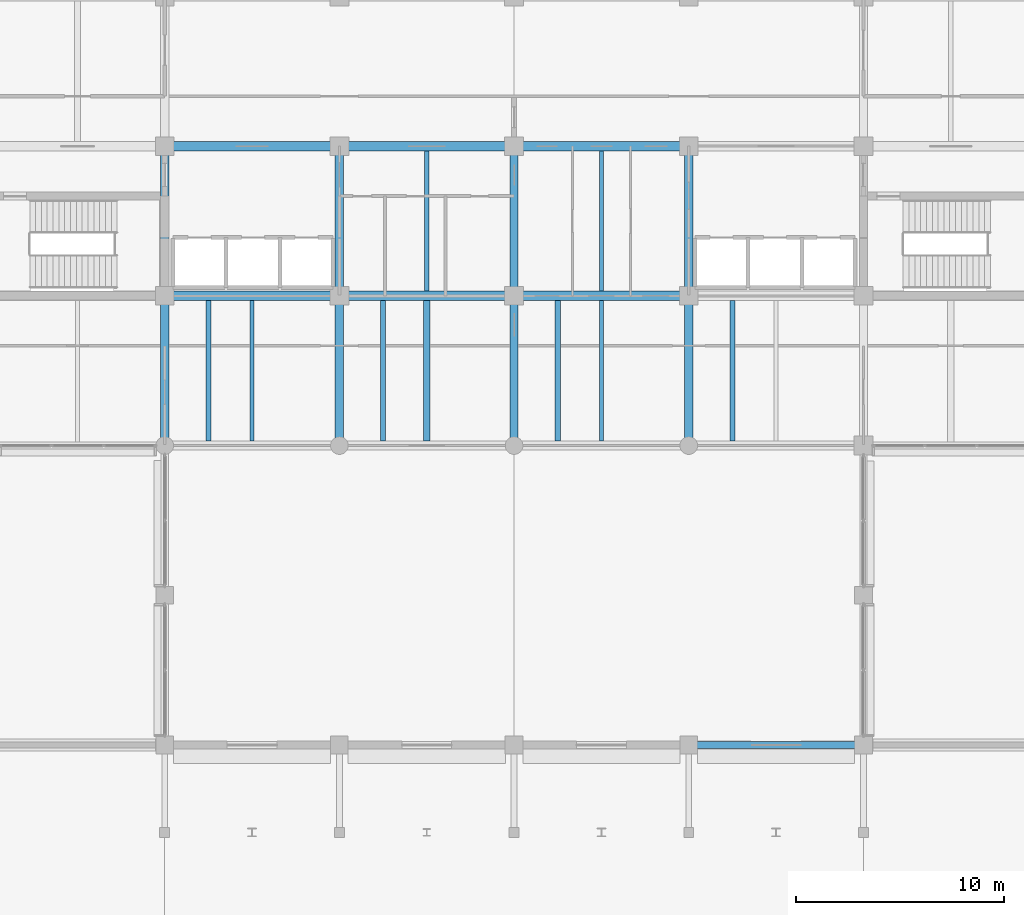
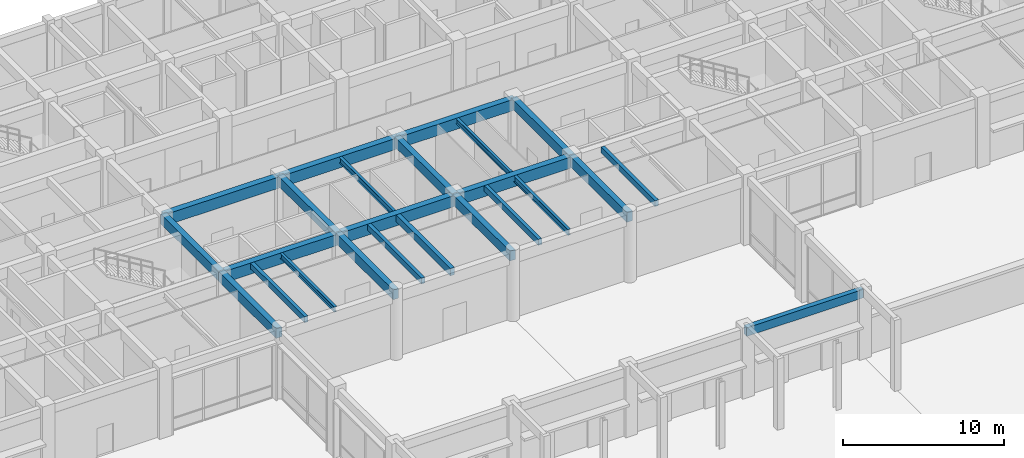
# One storey, part 21 of 73: 24 beams.
"""IFC4 building model written with IfcOpenShell, lengths in metres."""

from ifc_helpers import new_model, si_unit, direction, frame, origin, origin_2d, place, context, subcontext, project, spatial, rectangle, i_section, extrude, material, material_profile, profile_set, type_object, element, save


model = new_model("IFC4")

# Units and contexts
model_context = context("Model", 3, precision=1e-05, world=origin(), true_north=direction((0.0, 1.0)))
body_context = subcontext(model_context, "Body", "Model", "MODEL_VIEW")
ifc_project = project(units=[si_unit("LENGTHUNIT", "METRE"), si_unit("AREAUNIT", "SQUARE_METRE"), si_unit("VOLUMEUNIT", "CUBIC_METRE"), si_unit("PLANEANGLEUNIT", "RADIAN"), si_unit("MASSUNIT", "GRAM", prefix="KILO")], contexts=[model_context])

# Site, building, storey
site_placement = place(None, origin())
site = spatial("IfcSite", under=ifc_project, at=site_placement, CompositionType="ELEMENT")
building_placement = place(site_placement, origin())
building = spatial("IfcBuilding", under=site, at=building_placement, Name="Chengyuan Square Courthouse", CompositionType="ELEMENT")
storey_placement = place(building_placement, origin())
storey = spatial("IfcBuildingStorey", under=building, at=storey_placement, Name="L01", CompositionType="ELEMENT", Elevation=0.0)

# Beams
ifc_material_1 = material(Name="Concrete C40", Category="concrete")
ifc_material_profile_1 = material_profile(ifc_material_1, rectangle(XDim=0.449951171875, YDim=0.85009765625, at=origin_2d()), Name="RC-BM-450x850")
ifc_profile_set_1 = profile_set([ifc_material_profile_1], Name="Concrete C40")
beam_type_1 = type_object("IfcBeamType", Name="BM-01", PredefinedType="USERDEFINED", material=ifc_profile_set_1)
beam_1_placement = place(storey_placement, frame((67.199951171875, 86.39990234375, 4.695068359375), z_axis=(1.0, 0.0, 0.0), x_axis=(0.0, 1.0, 0.0)))
element("IfcBeam", 1, at=beam_1_placement, inside=storey, type_object=beam_type_1, Name="Girder BM-L01-1717", ObjectType="GIRDER", PredefinedType="USERDEFINED", context=body_context, shape_type="SweptSolid", body=[
    extrude(rectangle(XDim=0.449951171875, YDim=0.85009765625, at=origin_2d()), origin(), (0.0, 0.0, 1.0), 8.400146484375),
])
for number, where, z_axis, x_axis, name in (
    (2, (75.60009765625, 86.39990234375, 4.695068359375), (1.0, 0.0, 0.0), (0.0, 1.0, 0.0), "Girder BM-L01-1718"),
    (3, (84.0, 86.39990234375, 4.695068359375), (1.0, 0.0, 0.0), (0.0, 1.0, 0.0), "Girder BM-L01-1719"),
):
    element("IfcBeam", number, at=place(storey_placement, frame(where, z_axis=z_axis, x_axis=x_axis)), inside=storey, type_object=beam_type_1, Name=name, ObjectType="GIRDER", PredefinedType="USERDEFINED", context=body_context, shape_type="SweptSolid", body=[
        extrude(rectangle(XDim=0.449951171875, YDim=0.85009765625, at=origin_2d()), origin(), (0.0, 0.0, 1.0), 8.39990234375),
    ])
beam_2_placement = place(storey_placement, frame((67.199951171875, 93.60009765625, 4.695068359375), z_axis=(1.0, 0.0, 0.0), x_axis=(0.0, 1.0, 0.0)))
element("IfcBeam", 4, at=beam_2_placement, inside=storey, type_object=beam_type_1, Name="Girder BM-L01-1737", ObjectType="GIRDER", PredefinedType="USERDEFINED", context=body_context, shape_type="SweptSolid", body=[
    extrude(rectangle(XDim=0.449951171875, YDim=0.85009765625, at=origin_2d()), origin(), (0.0, 0.0, 1.0), 8.400146484375),
])
for number, where, z_axis, x_axis, name in (
    (5, (75.60009765625, 93.60009765625, 4.695068359375), (1.0, 0.0, 0.0), (0.0, 1.0, 0.0), "Girder BM-L01-1738"),
    (6, (84.0, 93.60009765625, 4.695068359375), (1.0, 0.0, 0.0), (0.0, 1.0, 0.0), "Girder BM-L01-1739"),
):
    element("IfcBeam", number, at=place(storey_placement, frame(where, z_axis=z_axis, x_axis=x_axis)), inside=storey, type_object=beam_type_1, Name=name, ObjectType="GIRDER", PredefinedType="USERDEFINED", context=body_context, shape_type="SweptSolid", body=[
        extrude(rectangle(XDim=0.449951171875, YDim=0.85009765625, at=origin_2d()), origin(), (0.0, 0.0, 1.0), 8.39990234375),
    ])
ifc_material_profile_2 = material_profile(ifc_material_1, rectangle(XDim=0.39990234375, YDim=0.75, at=origin_2d()), Name="RC-BM-400x750")
ifc_profile_set_2 = profile_set([ifc_material_profile_2], Name="Concrete C40")
beam_type_2 = type_object("IfcBeamType", Name="BM-02", PredefinedType="USERDEFINED", material=ifc_profile_set_2)
beam_3_placement = place(storey_placement, frame((67.199951171875, 79.199951171875, 4.7451171875), z_axis=(0.0, 1.0, 0.0), x_axis=(-1.0, 0.0, 0.0)))
element("IfcBeam", 7, at=beam_3_placement, inside=storey, type_object=beam_type_2, Name="Girder BM-L01-1866", ObjectType="GIRDER", PredefinedType="USERDEFINED", context=body_context, shape_type="SweptSolid", body=[
    extrude(rectangle(XDim=0.39990234375, YDim=0.75, at=origin_2d()), origin(), (0.0, 0.0, 1.0), 7.199951171875),
])
beam_4_placement = place(storey_placement, frame((67.199951171875, 86.39990234375, 4.7451171875), z_axis=(0.0, 1.0, 0.0), x_axis=(-1.0, 0.0, 0.0)))
element("IfcBeam", 8, at=beam_4_placement, inside=storey, type_object=beam_type_2, Name="Girder BM-L01-1867", ObjectType="GIRDER", PredefinedType="USERDEFINED", context=body_context, shape_type="SweptSolid", body=[
    extrude(rectangle(XDim=0.39990234375, YDim=0.75, at=origin_2d()), origin(), (0.0, 0.0, 1.0), 7.2001953125),
])
beam_5_placement = place(storey_placement, frame((75.60009765625, 79.199951171875, 4.7451171875), z_axis=(0.0, 1.0, 0.0), x_axis=(-1.0, 0.0, 0.0)))
element("IfcBeam", 9, at=beam_5_placement, inside=storey, type_object=beam_type_2, Name="Girder BM-L01-1871", ObjectType="GIRDER", PredefinedType="USERDEFINED", context=body_context, shape_type="SweptSolid", body=[
    extrude(rectangle(XDim=0.39990234375, YDim=0.75, at=origin_2d()), origin(), (0.0, 0.0, 1.0), 7.199951171875),
])
beam_6_placement = place(storey_placement, frame((75.60009765625, 86.39990234375, 4.7451171875), z_axis=(0.0, 1.0, 0.0), x_axis=(-1.0, 0.0, 0.0)))
element("IfcBeam", 10, at=beam_6_placement, inside=storey, type_object=beam_type_2, Name="Girder BM-L01-1872", ObjectType="GIRDER", PredefinedType="USERDEFINED", context=body_context, shape_type="SweptSolid", body=[
    extrude(rectangle(XDim=0.39990234375, YDim=0.75, at=origin_2d()), origin(), (0.0, 0.0, 1.0), 7.2001953125),
])
beam_7_placement = place(storey_placement, frame((84.0, 79.199951171875, 4.7451171875), z_axis=(0.0, 1.0, 0.0), x_axis=(-1.0, 0.0, 0.0)))
element("IfcBeam", 11, at=beam_7_placement, inside=storey, type_object=beam_type_2, Name="Girder BM-L01-1875", ObjectType="GIRDER", PredefinedType="USERDEFINED", context=body_context, shape_type="SweptSolid", body=[
    extrude(rectangle(XDim=0.39990234375, YDim=0.75, at=origin_2d()), origin(), (0.0, 0.0, 1.0), 7.199951171875),
])
beam_8_placement = place(storey_placement, frame((84.0, 86.39990234375, 4.7451171875), z_axis=(0.0, 1.0, 0.0), x_axis=(-1.0, 0.0, 0.0)))
element("IfcBeam", 12, at=beam_8_placement, inside=storey, type_object=beam_type_2, Name="Girder BM-L01-1876", ObjectType="GIRDER", PredefinedType="USERDEFINED", context=body_context, shape_type="SweptSolid", body=[
    extrude(rectangle(XDim=0.39990234375, YDim=0.75, at=origin_2d()), origin(), (0.0, 0.0, 1.0), 7.2001953125),
])
beam_9_placement = place(storey_placement, frame((92.39990234375, 79.199951171875, 4.7451171875), z_axis=(0.0, 1.0, 0.0), x_axis=(-1.0, 0.0, 0.0)))
element("IfcBeam", 13, at=beam_9_placement, inside=storey, type_object=beam_type_2, Name="Girder BM-L01-1879", ObjectType="GIRDER", PredefinedType="USERDEFINED", context=body_context, shape_type="SweptSolid", body=[
    extrude(rectangle(XDim=0.39990234375, YDim=0.75, at=origin_2d()), origin(), (0.0, 0.0, 1.0), 7.199951171875),
])
beam_10_placement = place(storey_placement, frame((92.39990234375, 86.39990234375, 4.7451171875), z_axis=(0.0, 1.0, 0.0), x_axis=(-1.0, 0.0, 0.0)))
element("IfcBeam", 14, at=beam_10_placement, inside=storey, type_object=beam_type_2, Name="Girder BM-L01-1880", ObjectType="GIRDER", PredefinedType="USERDEFINED", context=body_context, shape_type="SweptSolid", body=[
    extrude(rectangle(XDim=0.39990234375, YDim=0.75, at=origin_2d()), origin(), (0.0, 0.0, 1.0), 7.2001953125),
])
ifc_material_profile_3 = material_profile(ifc_material_1, rectangle(XDim=0.35009765625, YDim=0.64990234375, at=origin_2d()), Name="RC-BM-350x650")
ifc_profile_set_3 = profile_set([ifc_material_profile_3], Name="Concrete C40")
beam_type_3 = type_object("IfcBeamType", Name="BM-03", PredefinedType="SPANDREL", material=ifc_profile_set_3)
beam_11_placement = place(storey_placement, frame((92.39990234375, 64.800048828125, 4.794921875), z_axis=(1.0, 0.0, 0.0), x_axis=(0.0, 1.0, 0.0)))
element("IfcBeam", 15, at=beam_11_placement, inside=storey, type_object=beam_type_3, Name="Girder BM-L01-1682", PredefinedType="SPANDREL", context=body_context, shape_type="SweptSolid", body=[
    extrude(rectangle(XDim=0.35009765625, YDim=0.64990234375, at=origin_2d()), origin(), (0.0, 0.0, 1.0), 8.400146484375),
])
ifc_material_profile_4 = material_profile(ifc_material_1, rectangle(XDim=0.300048828125, YDim=0.550048828125, at=origin_2d()), Name="RC-BM-300x550")
ifc_profile_set_4 = profile_set([ifc_material_profile_4], Name="Concrete C40")
beam_type_4 = type_object("IfcBeamType", Name="BM-04", PredefinedType="BEAM", material=ifc_profile_set_4)
beam_12_placement = place(storey_placement, frame((79.800048828125, 79.425048828125, 4.844970703125), z_axis=(0.0, 1.0, 0.0), x_axis=(-1.0, 0.0, 0.0)))
element("IfcBeam", 16, at=beam_12_placement, inside=storey, type_object=beam_type_4, Name="Secondary Floor Beam SBM-L01-2011", PredefinedType="BEAM", context=body_context, shape_type="SweptSolid", body=[
    extrude(rectangle(XDim=0.300048828125, YDim=0.550048828125, at=origin_2d()), origin(), (0.0, 0.0, 1.0), 6.75),
])
ifc_material_profile_5 = material_profile(ifc_material_1, rectangle(XDim=0.25, YDim=0.449951171875, at=origin_2d()), Name="RC-UP-250x450")
ifc_profile_set_5 = profile_set([ifc_material_profile_5], Name="Concrete C40")
beam_type_5 = type_object("IfcBeamType", Name="BM-05", PredefinedType="USERDEFINED", material=ifc_profile_set_5)
for number, where, z_axis, x_axis, name in (
    (17, (69.300048828125, 79.425048828125, 4.89501953125), (0.0, 1.0, 0.0), (-1.0, 0.0, 0.0), "Concourse Edge Trim Beam UPB-L01-08"),
    (18, (77.699951171875, 79.425048828125, 4.89501953125), (0.0, 1.0, 0.0), (-1.0, 0.0, 0.0), "Concourse Edge Trim Beam UPB-L01-09"),
    (19, (86.10009765625, 79.425048828125, 4.89501953125), (0.0, 1.0, 0.0), (-1.0, 0.0, 0.0), "Concourse Edge Trim Beam UPB-L01-10"),
    (20, (94.5, 79.425048828125, 4.89501953125), (0.0, 1.0, 0.0), (-1.0, 0.0, 0.0), "Concourse Edge Trim Beam UPB-L01-11"),
):
    element("IfcBeam", number, at=place(storey_placement, frame(where, z_axis=z_axis, x_axis=x_axis)), inside=storey, type_object=beam_type_5, Name=name, ObjectType="UPSTAND", PredefinedType="USERDEFINED", context=body_context, shape_type="SweptSolid", body=[
        extrude(rectangle(XDim=0.25, YDim=0.449951171875, at=origin_2d()), origin(), (0.0, 0.0, 1.0), 6.75),
    ])
ifc_material_2 = material(Name="Steel Q355B", Category="steel")
ifc_material_profile_6 = material_profile(ifc_material_2, i_section(OverallWidth=0.199951171875, OverallDepth=0.449951171875, WebThickness=0.009033203125, FlangeThickness=0.013916015625, at=origin_2d()), Name="HN 450x200x9x14")
ifc_profile_set_6 = profile_set([ifc_material_profile_6], Name="Steel Q355B")
beam_type_6 = type_object("IfcBeamType", Name="BM-06", PredefinedType="BEAM", material=ifc_profile_set_6)
for number, where, z_axis, x_axis, name in (
    (21, (79.800048828125, 86.625, 4.89501953125), (0.0, 1.0, 0.0), (-1.0, 0.0, 0.0), "Secondary Floor Beam SBM-L01-2012"),
    (22, (88.199951171875, 79.425048828125, 4.89501953125), (0.0, 1.0, 0.0), (-1.0, 0.0, 0.0), "Secondary Floor Beam SBM-L01-2014"),
):
    element("IfcBeam", number, at=place(storey_placement, frame(where, z_axis=z_axis, x_axis=x_axis)), inside=storey, type_object=beam_type_6, Name=name, PredefinedType="BEAM", context=body_context, shape_type="SweptSolid", body=[
        extrude(i_section(OverallWidth=0.199951171875, OverallDepth=0.449951171875, WebThickness=0.009033203125, FlangeThickness=0.013916015625, at=origin_2d()), origin(), (0.0, 0.0, 1.0), 6.75),
    ])
ifc_material_profile_7 = material_profile(ifc_material_2, i_section(OverallWidth=0.199951171875, OverallDepth=0.39990234375, WebThickness=0.008056640625, FlangeThickness=0.012939453125, at=origin_2d()), Name="HN 400x200x8x13")
ifc_profile_set_7 = profile_set([ifc_material_profile_7], Name="Steel Q355B")
beam_type_7 = type_object("IfcBeamType", Name="BM-07", PredefinedType="BEAM", material=ifc_profile_set_7)
for number, where, z_axis, x_axis, name in (
    (23, (71.39990234375, 79.425048828125, 4.919921875), (0.0, 1.0, 0.0), (-1.0, 0.0, 0.0), "Secondary Floor Beam SBM-L01-2008"),
    (24, (88.199951171875, 86.625, 4.919921875), (0.0, 1.0, 0.0), (-1.0, 0.0, 0.0), "Secondary Floor Beam SBM-L01-2015"),
):
    element("IfcBeam", number, at=place(storey_placement, frame(where, z_axis=z_axis, x_axis=x_axis)), inside=storey, type_object=beam_type_7, Name=name, PredefinedType="BEAM", context=body_context, shape_type="SweptSolid", body=[
        extrude(i_section(OverallWidth=0.199951171875, OverallDepth=0.39990234375, WebThickness=0.008056640625, FlangeThickness=0.012939453125, at=origin_2d()), origin(), (0.0, 0.0, 1.0), 6.75),
    ])

save(model, "model.ifc")
